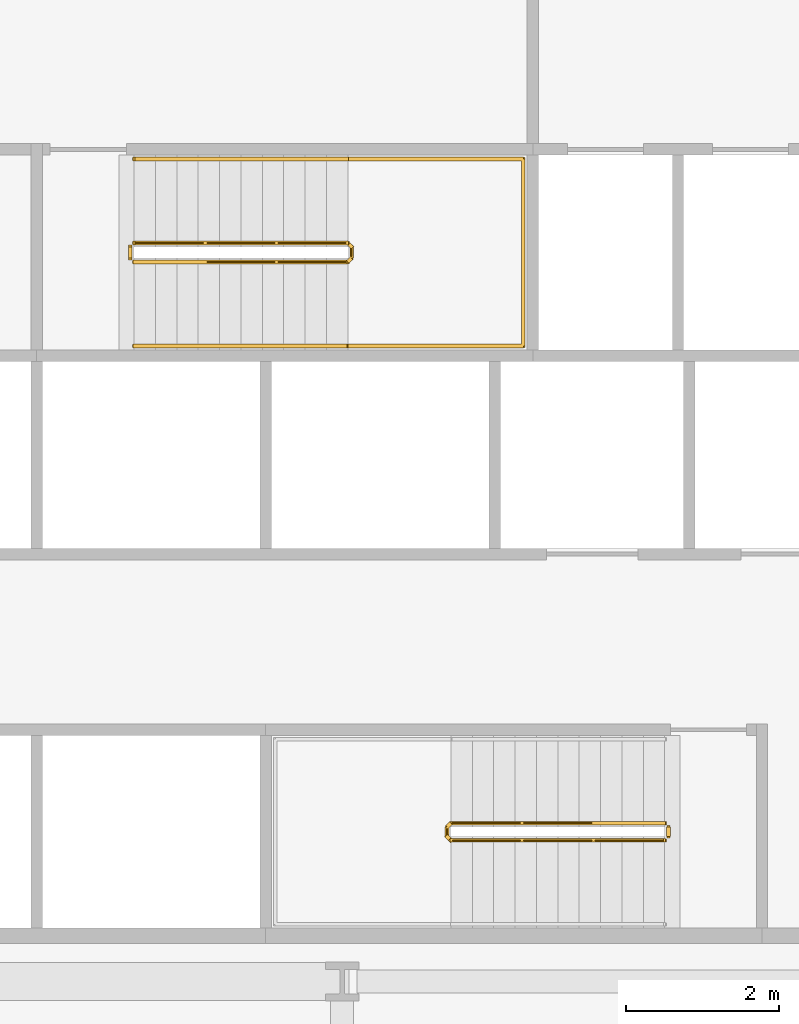
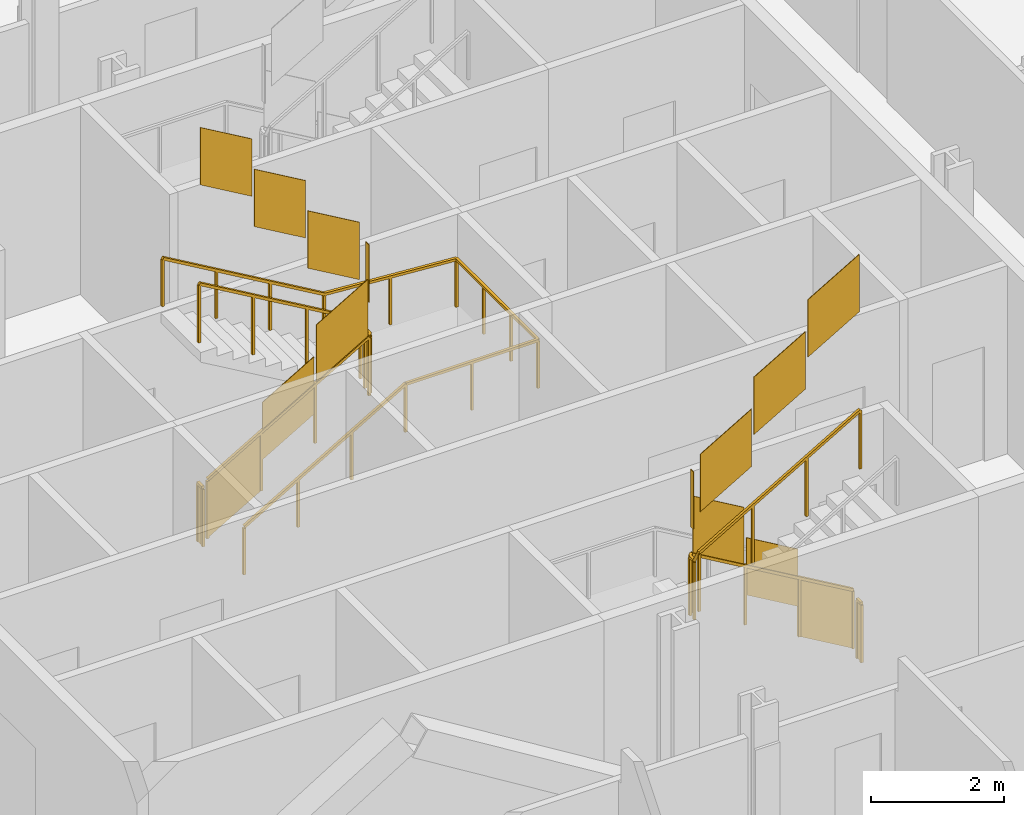
# One storey, part 15 of 18: 5 railings.
"""IFC4 building model written with IfcOpenShell, lengths in metres."""

import ifcopenshell
import ifcopenshell.guid

model = None  # the IFC model being written
_history = None  # IfcOwnerHistory: only IFC2X3 demands one
_inside = {}  # id of a spatial element -> (the spatial element, [elements in it])
_under = {}  # id of a project, library or spatial element -> (it, [spatial elements below it])
_declared = {}  # id of a project -> (the project, [libraries it declares])
_typed = {}  # id of a type object -> (the type object, [elements of that type])
_made_of = {}  # id of a material, layer set ... -> (it, [elements and type objects made of it])


def new_model(schema):
    """Start an empty IFC model of exactly this schema.

    Asked for "IFC4X3", IfcOpenShell would pick the latest addendum, in which some entities
    have other attributes; the version numbers below select the first issue.
    IFC2X3 requires an IfcOwnerHistory on every rooted entity: one is made here for all.
    """
    global model, _history
    if schema == "IFC4X3":
        model = ifcopenshell.file(schema_version=(4, 3, 0, 0))
    else:
        model = ifcopenshell.file(schema=schema)
    _inside.clear()
    _under.clear()
    _declared.clear()
    _typed.clear()
    _made_of.clear()
    _history = None
    if model.schema == "IFC2X3":
        org = make("IfcOrganization", Name="unknown")
        user = make(
            "IfcPersonAndOrganization",
            ThePerson=make("IfcPerson", FamilyName="unknown"),
            TheOrganization=org,
        )
        app = make(
            "IfcApplication",
            ApplicationDeveloper=org,
            Version="unknown",
            ApplicationFullName="unknown",
            ApplicationIdentifier="unknown",
        )
        _history = make(
            "IfcOwnerHistory",
            OwningUser=user,
            OwningApplication=app,
            ChangeAction="ADDED",
            CreationDate=0,
        )
    return model


def make(cls, **values):
    """One entity of the class cls with the attributes given. An attribute that is None is left unset."""
    return model.create_entity(
        cls, **{name: value for name, value in values.items() if value is not None}
    )


def rooted(cls, **values):
    """An entity with a GlobalId (a new one), such as an element, a storey or a relation."""
    return make(cls, GlobalId=ifcopenshell.guid.new(), OwnerHistory=_history, **values)


def si_unit(unit_type, name, prefix=None):
    """IfcSIUnit, for example si_unit("LENGTHUNIT", "METRE", prefix="MILLI")."""
    return make("IfcSIUnit", UnitType=unit_type, Prefix=prefix, Name=name)


def assignment(units):
    """IfcUnitAssignment: the units of a project."""
    return None if units is None else make("IfcUnitAssignment", Units=units)


def point(xyz):
    """IfcCartesianPoint."""
    return None if xyz is None else make("IfcCartesianPoint", Coordinates=xyz)


def direction(xyz):
    """IfcDirection."""
    return None if xyz is None else make("IfcDirection", DirectionRatios=xyz)


def frame(location, z_axis=None, x_axis=None):
    """IfcAxis2Placement3D, a coordinate frame: its origin and axes. An axis left out is left unset."""
    return make(
        "IfcAxis2Placement3D",
        Location=point(location),
        Axis=direction(z_axis),
        RefDirection=direction(x_axis),
    )


def frame_2d(location, x_axis=None):
    """IfcAxis2Placement2D, a coordinate frame in the plane: its origin and x axis."""
    return make(
        "IfcAxis2Placement2D", Location=point(location), RefDirection=direction(x_axis)
    )


def origin():
    """The frame at (0, 0, 0) with its axes left unset."""
    return frame((0.0, 0.0, 0.0))


def origin_2d():
    """The frame at (0, 0) in the plane with its x axis left unset."""
    return frame_2d((0.0, 0.0))


def place(relative_to, where):
    """IfcLocalPlacement: puts the frame where relative to a parent placement (None: the world)."""
    return make(
        "IfcLocalPlacement", PlacementRelTo=relative_to, RelativePlacement=where
    )


def context(
    kind, dimensions, precision=None, world=None, true_north=None, identifier=None
):
    """IfcGeometricRepresentationContext, for example the 3D "Model" context."""
    return make(
        "IfcGeometricRepresentationContext",
        ContextIdentifier=identifier,
        ContextType=kind,
        CoordinateSpaceDimension=dimensions,
        Precision=precision,
        WorldCoordinateSystem=world,
        TrueNorth=true_north,
    )


def subcontext(parent, identifier, kind, view, scale=None):
    """IfcGeometricRepresentationSubContext, for example "Body" below "Model"."""
    return make(
        "IfcGeometricRepresentationSubContext",
        ContextIdentifier=identifier,
        ContextType=kind,
        ParentContext=parent,
        TargetScale=scale,
        TargetView=view,
    )


def project(units=None, contexts=None):
    """IfcProject with its units and contexts."""
    return rooted(
        "IfcProject",
        Name="project",
        RepresentationContexts=contexts,
        UnitsInContext=assignment(units),
    )


def spatial(cls, under=None, at=None, **own):
    """A site, building, storey or space (cls), placed at a placement, below another one or the project."""
    s = rooted(cls, ObjectPlacement=at, **own)
    if under is not None:
        _under.setdefault(under.id(), (under, []))[1].append(s)
    return s


def polyline(points):
    """IfcPolyline through the points."""
    return make("IfcPolyline", Points=[point(p) for p in points])


def profile(cls, at=None, kind="AREA", **sizes):
    """A parametric profile (cls). Its sizes go by their IFC names, for example OverallWidth=200.0."""
    return make(cls, ProfileType=kind, Position=at, **sizes)


def rectangle(**sizes):
    """IfcRectangleProfileDef."""
    return profile("IfcRectangleProfileDef", **sizes)


def outline(outer, holes=None, kind="AREA"):
    """IfcArbitraryClosedProfileDef: a profile drawn as a closed curve; with holes, ...WithVoids."""
    if holes is None:
        return make("IfcArbitraryClosedProfileDef", ProfileType=kind, OuterCurve=outer)
    return make(
        "IfcArbitraryProfileDefWithVoids",
        ProfileType=kind,
        OuterCurve=outer,
        InnerCurves=holes,
    )


def extrude(swept, where, along, depth):
    """IfcExtrudedAreaSolid: the profile swept, set in the frame where, extruded along a direction by depth."""
    return make(
        "IfcExtrudedAreaSolid",
        SweptArea=swept,
        Position=where,
        ExtrudedDirection=direction(along),
        Depth=depth,
    )


def shape(context_of_items, identifier, shape_type, items):
    """IfcShapeRepresentation: the items that make up one representation, for example the "Body"."""
    return make(
        "IfcShapeRepresentation",
        ContextOfItems=context_of_items,
        RepresentationIdentifier=identifier,
        RepresentationType=shape_type,
        Items=items,
    )


def material(Name=None, Category=None):
    """IfcMaterial."""
    return make("IfcMaterial", Name=Name, Category=Category)


def made_of(thing, what):
    """Note that an element or type object is made of a material, layer set ...; save() writes the relation."""
    if what is not None:
        _made_of.setdefault(what.id(), (what, []))[1].append(thing)
    return thing


def type_object(cls, material=None, **own):
    """A type object (cls), such as IfcWallType, which elements share."""
    return made_of(rooted(cls, **own), material)


def element(
    cls,
    number,
    at=None,
    inside=None,
    cuts=None,
    type_object=None,
    material=None,
    context=None,
    identifier="Body",
    shape_type=None,
    held_by="IfcProductDefinitionShape",
    body=None,
    shapes=None,
    **own,
):
    """One element of the class cls, such as IfcWall. Its Tag is "e" and its number.

    at: its placement. inside: the storey or other place that contains it. cuts: it is an
    opening in that element (IfcRelVoidsElement). A single representation is given by context,
    identifier, shape_type and body (its items); several are given by shapes. held_by: the class
    of the entity that holds the representations. save() writes the other relations.
    """
    e = rooted(cls, Tag="e%d" % number, ObjectPlacement=at, **own)
    if body is not None:
        shapes = [shape(context, identifier, shape_type, body)]
    if shapes is not None:
        e.Representation = make(held_by, Representations=shapes)
    if inside is not None:
        _inside.setdefault(inside.id(), (inside, []))[1].append(e)
    if cuts is not None:
        rooted(
            "IfcRelVoidsElement", RelatingBuildingElement=cuts, RelatedOpeningElement=e
        )
    if type_object is not None:
        _typed.setdefault(type_object.id(), (type_object, []))[1].append(e)
    return made_of(e, material)


def aggregate(whole, parts):
    """IfcRelAggregates: a whole, such as a stair, and the parts it consists of."""
    return rooted("IfcRelAggregates", RelatingObject=whole, RelatedObjects=parts)


def save(model, path):
    """Write the relations noted so far, then the file.

    IfcRelAggregates (storeys below a building ...), IfcRelContainedInSpatialStructure (elements
    in a storey), IfcRelDefinesByType, IfcRelAssociatesMaterial and IfcRelDeclares: one each for
    every whole, place, type object, material and project.
    """
    for whole, parts in _under.values():
        aggregate(whole, parts)
    for where, things in _inside.values():
        rooted(
            "IfcRelContainedInSpatialStructure",
            RelatedElements=things,
            RelatingStructure=where,
        )
    for kind, things in _typed.values():
        rooted("IfcRelDefinesByType", RelatedObjects=things, RelatingType=kind)
    for what, things in _made_of.values():
        rooted("IfcRelAssociatesMaterial", RelatedObjects=things, RelatingMaterial=what)
    for by, libraries in _declared.values():
        rooted("IfcRelDeclares", RelatingContext=by, RelatedDefinitions=libraries)
    model.write(path)


model = new_model("IFC4")

# Units and contexts
model_context = context("Model", 3, precision=1e-05, world=origin(), true_north=direction((0.0, 1.0)))
body_context = subcontext(model_context, "Body", "Model", "MODEL_VIEW")
ifc_project = project(units=[si_unit("LENGTHUNIT", "METRE"), si_unit("AREAUNIT", "SQUARE_METRE"), si_unit("VOLUMEUNIT", "CUBIC_METRE"), si_unit("PLANEANGLEUNIT", "RADIAN"), si_unit("MASSUNIT", "GRAM", prefix="KILO")], contexts=[model_context])

# Site, building, storey
site_placement = place(None, origin())
site = spatial("IfcSite", under=ifc_project, at=site_placement, CompositionType="ELEMENT")
building_placement = place(site_placement, origin())
building = spatial("IfcBuilding", under=site, at=building_placement, Name="Cairn Pilgrim Tower", CompositionType="ELEMENT")
storey_placement = place(building_placement, frame((0.0, 0.0, 72.60009765625)))
storey = spatial("IfcBuildingStorey", under=building, at=storey_placement, Name="L16", CompositionType="ELEMENT", Elevation=72.60009765625)

# Railings
ifc_material = material(Name="Painted steel", Category="steel")
railing_type_1 = type_object("IfcRailingType", Name="STAIR GUARD 1100", PredefinedType="GUARDRAIL", material=ifc_material)
railing_1_placement = place(storey_placement, frame((11.425048828125, -3.925048828125, 0.16357421875)))
element("IfcRailing", 1, at=railing_1_placement, inside=storey, type_object=railing_type_1, Name="L16 ST-A stair guard 1", PredefinedType="GUARDRAIL", context=body_context, shape_type="SweptSolid", body=[
    extrude(rectangle(XDim=0.048095703125, YDim=0.048095703125, at=origin_2d()), frame((0.0, 0.0, 1.076171875), z_axis=(-0.863393664356, 0.0, 0.504530851732), x_axis=(0.0, -1.0, 0.0)), (0.0, 0.0, 1.0), 3.2431640625),
    extrude(rectangle(XDim=0.048095703125, YDim=0.048095703125, at=origin_2d()), frame((-2.800048828125, 0.0, 2.71240234375), z_axis=(-0.707106781187, -0.707106781187, 0.0), x_axis=(0.707106781187, -0.707106781187, 0.0)), (0.0, 0.0, 1.0), 0.07080078125),
    extrude(rectangle(XDim=0.048095703125, YDim=0.048095703125, at=origin_2d()), frame((-2.85009765625, -0.050048828125, 2.71240234375), z_axis=(0.0, -1.0, 0.0), x_axis=(1.0, 0.0, 0.0)), (0.0, 0.0, 1.0), 0.125),
    extrude(rectangle(XDim=0.048095703125, YDim=0.048095703125, at=origin_2d()), frame((-2.85009765625, -0.175048828125, 2.71240234375), z_axis=(0.280563532951, -0.279194930351, 0.91833234444), x_axis=(0.705375805398, 0.708833529934, 0.0)), (0.0, 0.0, 1.0), 0.178466796875),
    extrude(rectangle(XDim=0.048095703125, YDim=0.048095703125, at=origin_2d()), frame((-2.800048828125, -0.224853515625, 2.8759765625), z_axis=(0.863393664356, 0.0, 0.504530851732), x_axis=(0.0, 1.0, 0.0)), (0.0, 0.0, 1.0), 3.2431640625),
    extrude(rectangle(XDim=0.0419921875, YDim=0.0419921875, at=origin_2d()), origin(), (0.0, 0.0, 1.0), 1.052001953125),
    extrude(rectangle(XDim=0.0419921875, YDim=0.0419921875, at=origin_2d()), frame((-0.933349609375, 0.0, 0.54541015625)), (0.0, 0.0, 1.0), 1.052001953125),
    extrude(rectangle(XDim=0.0419921875, YDim=0.0419921875, at=origin_2d()), frame((-1.86669921875, 0.0, 1.0908203125)), (0.0, 0.0, 1.0), 1.052001953125),
    extrude(rectangle(XDim=0.0419921875, YDim=0.0419921875, at=origin_2d()), frame((-2.800048828125, 0.0, 1.63623046875)), (0.0, 0.0, 1.0), 1.052001953125),
    extrude(rectangle(XDim=0.0419921875, YDim=0.0419921875, at=origin_2d()), frame((-2.85009765625, -0.050048828125, 1.63623046875)), (0.0, 0.0, 1.0), 1.052001953125),
    extrude(rectangle(XDim=0.0419921875, YDim=0.0419921875, at=origin_2d()), frame((-2.85009765625, -0.175048828125, 1.63623046875)), (0.0, 0.0, 1.0), 1.052001953125),
    extrude(rectangle(XDim=0.0419921875, YDim=0.0419921875, at=origin_2d()), frame((-2.800048828125, -0.224853515625, 1.800048828125)), (0.0, 0.0, 1.0), 1.052001953125),
    extrude(rectangle(XDim=0.0419921875, YDim=0.0419921875, at=origin_2d()), frame((-1.86669921875, -0.224853515625, 2.345458984375)), (0.0, 0.0, 1.0), 1.052001953125),
    extrude(rectangle(XDim=0.0419921875, YDim=0.0419921875, at=origin_2d()), frame((-0.933349609375, -0.224853515625, 2.890869140625)), (0.0, 0.0, 1.0), 1.052001953125),
    extrude(rectangle(XDim=0.0419921875, YDim=0.0419921875, at=origin_2d()), frame((0.0, -0.224853515625, 3.436279296875)), (0.0, 0.0, 1.0), 1.052001953125),
    extrude(outline(polyline([(0.02099609375, 0.01220703125), (0.912353515625, 0.533203125), (0.912353515625, 1.585205078125), (0.02099609375, 1.064208984375), (0.02099609375, 0.01220703125)])), frame((0.0, -0.005859375, 0.0), z_axis=(0.0, 1.0, 0.0), x_axis=(-1.0, 0.0, 0.0)), (0.0, 0.0, 1.0), 0.011962890625),
    extrude(outline(polyline([(0.02099609375, 0.5576171875), (0.912353515625, 1.07861328125), (0.912353515625, 2.130615234375), (0.02099609375, 1.609619140625), (0.02099609375, 0.5576171875)])), frame((-0.933349609375, -0.005859375, 0.54541015625), z_axis=(0.0, 1.0, 0.0), x_axis=(-1.0, 0.0, 0.0)), (0.0, 0.0, 1.0), 0.011962890625),
    extrude(outline(polyline([(0.02099609375, 1.10302734375), (0.912353515625, 1.6240234375), (0.912353515625, 2.676025390625), (0.02099609375, 2.155029296875), (0.02099609375, 1.10302734375)])), frame((-1.86669921875, -0.005859375, 1.0908203125), z_axis=(0.0, 1.0, 0.0), x_axis=(-1.0, 0.0, 0.0)), (0.0, 0.0, 1.0), 0.011962890625),
    extrude(outline(polyline([(0.02099609375, 1.63623046875), (0.10400390625, 1.63623046875), (0.10400390625, 2.688232421875), (0.02099609375, 2.688232421875), (0.02099609375, 1.63623046875)])), frame((-2.84423828125, -0.050048828125, 1.63623046875), z_axis=(-1.0, 0.0, 0.0), x_axis=(0.0, -1.0, 0.0)), (0.0, 0.0, 1.0), 0.011962890625),
    extrude(outline(polyline([(0.02099609375, 1.812255859375), (0.912353515625, 2.333251953125), (0.912353515625, 3.38525390625), (0.02099609375, 2.8642578125), (0.02099609375, 1.812255859375)])), frame((-2.800048828125, -0.21875, 1.800048828125), z_axis=(0.0, -1.0, 0.0), x_axis=(1.0, 0.0, 0.0)), (0.0, 0.0, 1.0), 0.011962890625),
    extrude(outline(polyline([(0.02099609375, 2.357666015625), (0.912353515625, 2.878662109375), (0.912353515625, 3.9306640625), (0.02099609375, 3.40966796875), (0.02099609375, 2.357666015625)])), frame((-1.86669921875, -0.21875, 2.345458984375), z_axis=(0.0, -1.0, 0.0), x_axis=(1.0, 0.0, 0.0)), (0.0, 0.0, 1.0), 0.011962890625),
    extrude(outline(polyline([(0.02099609375, 2.903076171875), (0.912353515625, 3.424072265625), (0.912353515625, 4.47607421875), (0.02099609375, 3.955078125), (0.02099609375, 2.903076171875)])), frame((-0.933349609375, -0.21875, 2.890869140625), z_axis=(0.0, -1.0, 0.0), x_axis=(1.0, 0.0, 0.0)), (0.0, 0.0, 1.0), 0.011962890625),
])
railing_2_placement = place(storey_placement, frame((11.47509765625, -3.97509765625, 0.0)))
element("IfcRailing", 2, at=railing_2_placement, inside=storey, type_object=railing_type_1, Name="L16 ST-A stair guard 2", PredefinedType="GUARDRAIL", context=body_context, shape_type="SweptSolid", body=[
    extrude(rectangle(XDim=0.048095703125, YDim=0.048095703125, at=origin_2d()), frame((0.0, 0.0, 1.076171875), z_axis=(0.0, -1.0, 0.0), x_axis=(1.0, 0.0, 0.0)), (0.0, 0.0, 1.0), 0.125),
    extrude(rectangle(XDim=0.0419921875, YDim=0.0419921875, at=origin_2d()), origin(), (0.0, 0.0, 1.0), 1.052001953125),
    extrude(rectangle(XDim=0.0419921875, YDim=0.0419921875, at=origin_2d()), frame((0.0, -0.125, 0.0)), (0.0, 0.0, 1.0), 1.052001953125),
    extrude(outline(polyline([(0.02099609375, 0.0), (0.10400390625, 0.0), (0.10400390625, 1.052001953125), (0.02099609375, 1.052001953125), (0.02099609375, 0.0)])), frame((0.005859375, 0.0, 0.0), z_axis=(-1.0, 0.0, 0.0), x_axis=(0.0, -1.0, 0.0)), (0.0, 0.0, 1.0), 0.011962890625),
])
railing_3_placement = place(storey_placement, frame((4.47509765625, 3.425048828125, 0.16357421875)))
element("IfcRailing", 3, at=railing_3_placement, inside=storey, type_object=railing_type_1, Name="L16 ST-B stair guard 1", PredefinedType="GUARDRAIL", context=body_context, shape_type="SweptSolid", body=[
    extrude(rectangle(XDim=0.048095703125, YDim=0.048095703125, at=origin_2d()), frame((0.0, 0.0, 1.076171875), z_axis=(0.863374499697, 0.0, 0.504563646405), x_axis=(0.0, 1.0, 0.0)), (0.0, 0.0, 1.0), 3.242919921875),
    extrude(rectangle(XDim=0.048095703125, YDim=0.048095703125, at=origin_2d()), frame((2.7998046875, 0.0, 2.71240234375), z_axis=(0.707106781187, 0.707106781187, 0.0), x_axis=(-0.707106781187, 0.707106781187, 0.0)), (0.0, 0.0, 1.0), 0.07080078125),
    extrude(rectangle(XDim=0.048095703125, YDim=0.048095703125, at=origin_2d()), frame((2.849853515625, 0.050048828125, 2.71240234375), z_axis=(0.0, 1.0, 0.0), x_axis=(-1.0, 0.0, 0.0)), (0.0, 0.0, 1.0), 0.14990234375),
    extrude(rectangle(XDim=0.048095703125, YDim=0.048095703125, at=origin_2d()), frame((2.849853515625, 0.199951171875, 2.71240234375), z_axis=(-0.280456126637, 0.280456126637, 0.917980785237), x_axis=(-0.707106781187, -0.707106781187, 0.0)), (0.0, 0.0, 1.0), 0.178466796875),
    extrude(rectangle(XDim=0.048095703125, YDim=0.048095703125, at=origin_2d()), frame((2.7998046875, 0.25, 2.8759765625), z_axis=(-0.863374499697, 0.0, 0.504563646405), x_axis=(0.0, -1.0, 0.0)), (0.0, 0.0, 1.0), 3.242919921875),
    extrude(rectangle(XDim=0.0419921875, YDim=0.0419921875, at=origin_2d()), origin(), (0.0, 0.0, 1.0), 1.052001953125),
    extrude(rectangle(XDim=0.0419921875, YDim=0.0419921875, at=origin_2d()), frame((0.933349609375, 0.0, 0.54541015625)), (0.0, 0.0, 1.0), 1.052001953125),
    extrude(rectangle(XDim=0.0419921875, YDim=0.0419921875, at=origin_2d()), frame((1.866455078125, 0.0, 1.0908203125)), (0.0, 0.0, 1.0), 1.052001953125),
    extrude(rectangle(XDim=0.0419921875, YDim=0.0419921875, at=origin_2d()), frame((2.7998046875, 0.0, 1.63623046875)), (0.0, 0.0, 1.0), 1.052001953125),
    extrude(rectangle(XDim=0.0419921875, YDim=0.0419921875, at=origin_2d()), frame((2.849853515625, 0.050048828125, 1.63623046875)), (0.0, 0.0, 1.0), 1.052001953125),
    extrude(rectangle(XDim=0.0419921875, YDim=0.0419921875, at=origin_2d()), frame((2.849853515625, 0.199951171875, 1.63623046875)), (0.0, 0.0, 1.0), 1.052001953125),
    extrude(rectangle(XDim=0.0419921875, YDim=0.0419921875, at=origin_2d()), frame((2.7998046875, 0.25, 1.800048828125)), (0.0, 0.0, 1.0), 1.052001953125),
    extrude(rectangle(XDim=0.0419921875, YDim=0.0419921875, at=origin_2d()), frame((1.866455078125, 0.25, 2.345458984375)), (0.0, 0.0, 1.0), 1.052001953125),
    extrude(rectangle(XDim=0.0419921875, YDim=0.0419921875, at=origin_2d()), frame((0.933349609375, 0.25, 2.890869140625)), (0.0, 0.0, 1.0), 1.052001953125),
    extrude(rectangle(XDim=0.0419921875, YDim=0.0419921875, at=origin_2d()), frame((0.0, 0.25, 3.436279296875)), (0.0, 0.0, 1.0), 1.052001953125),
    extrude(outline(polyline([(0.02099609375, 0.01220703125), (0.912353515625, 0.533203125), (0.912353515625, 1.585205078125), (0.02099609375, 1.064208984375), (0.02099609375, 0.01220703125)])), frame((0.0, 0.005859375, 0.0), z_axis=(0.0, -1.0, 0.0), x_axis=(1.0, 0.0, 0.0)), (0.0, 0.0, 1.0), 0.011962890625),
    extrude(outline(polyline([(0.02099609375, 0.5576171875), (0.912353515625, 1.07861328125), (0.912353515625, 2.130615234375), (0.02099609375, 1.609619140625), (0.02099609375, 0.5576171875)])), frame((0.933349609375, 0.005859375, 0.54541015625), z_axis=(0.0, -1.0, 0.0), x_axis=(1.0, 0.0, 0.0)), (0.0, 0.0, 1.0), 0.011962890625),
    extrude(outline(polyline([(0.02099609375, 1.10302734375), (0.912353515625, 1.6240234375), (0.912353515625, 2.676025390625), (0.02099609375, 2.155029296875), (0.02099609375, 1.10302734375)])), frame((1.866455078125, 0.005859375, 1.0908203125), z_axis=(0.0, -1.0, 0.0), x_axis=(1.0, 0.0, 0.0)), (0.0, 0.0, 1.0), 0.011962890625),
    extrude(outline(polyline([(0.02099609375, 1.63623046875), (0.12890625, 1.63623046875), (0.12890625, 2.688232421875), (0.02099609375, 2.688232421875), (0.02099609375, 1.63623046875)])), frame((2.84375, 0.050048828125, 1.63623046875), z_axis=(1.0, 0.0, 0.0), x_axis=(0.0, 1.0, 0.0)), (0.0, 0.0, 1.0), 0.011962890625),
    extrude(outline(polyline([(0.02099609375, 1.812255859375), (0.912353515625, 2.333251953125), (0.912353515625, 3.38525390625), (0.02099609375, 2.8642578125), (0.02099609375, 1.812255859375)])), frame((2.7998046875, 0.244140625, 1.800048828125), z_axis=(0.0, 1.0, 0.0), x_axis=(-1.0, 0.0, 0.0)), (0.0, 0.0, 1.0), 0.011962890625),
    extrude(outline(polyline([(0.02099609375, 2.357666015625), (0.912353515625, 2.878662109375), (0.912353515625, 3.9306640625), (0.02099609375, 3.40966796875), (0.02099609375, 2.357666015625)])), frame((1.866455078125, 0.244140625, 2.345458984375), z_axis=(0.0, 1.0, 0.0), x_axis=(-1.0, 0.0, 0.0)), (0.0, 0.0, 1.0), 0.011962890625),
    extrude(outline(polyline([(0.02099609375, 2.903076171875), (0.912353515625, 3.424072265625), (0.912353515625, 4.47607421875), (0.02099609375, 3.955078125), (0.02099609375, 2.903076171875)])), frame((0.933349609375, 0.244140625, 2.890869140625), z_axis=(0.0, 1.0, 0.0), x_axis=(-1.0, 0.0, 0.0)), (0.0, 0.0, 1.0), 0.011962890625),
])
railing_4_placement = place(storey_placement, frame((4.425048828125, 3.47509765625, 0.0)))
element("IfcRailing", 4, at=railing_4_placement, inside=storey, type_object=railing_type_1, Name="L16 ST-B stair guard 2", PredefinedType="GUARDRAIL", context=body_context, shape_type="SweptSolid", body=[
    extrude(rectangle(XDim=0.048095703125, YDim=0.048095703125, at=origin_2d()), frame((0.0, 0.0, 1.076171875), z_axis=(0.0, 1.0, 0.0), x_axis=(-1.0, 0.0, 0.0)), (0.0, 0.0, 1.0), 0.14990234375),
    extrude(rectangle(XDim=0.0419921875, YDim=0.0419921875, at=origin_2d()), origin(), (0.0, 0.0, 1.0), 1.052001953125),
    extrude(rectangle(XDim=0.0419921875, YDim=0.0419921875, at=origin_2d()), frame((0.0, 0.14990234375, 0.0)), (0.0, 0.0, 1.0), 1.052001953125),
    extrude(outline(polyline([(0.02099609375, 0.0), (0.12890625, 0.0), (0.12890625, 1.052001953125), (0.02099609375, 1.052001953125), (0.02099609375, 0.0)])), frame((-0.005859375, 0.0, 0.0), z_axis=(1.0, 0.0, 0.0), x_axis=(0.0, 1.0, 0.0)), (0.0, 0.0, 1.0), 0.011962890625),
])
railing_type_2 = type_object("IfcRailingType", Name="STAIR HANDRAIL 900", PredefinedType="HANDRAIL", material=ifc_material)
railing_5_placement = place(storey_placement, frame((4.47509765625, 2.324951171875, 0.16357421875)))
element("IfcRailing", 5, at=railing_5_placement, inside=storey, type_object=railing_type_2, Name="L16 ST-B stair handrail 1", PredefinedType="HANDRAIL", context=body_context, shape_type="SweptSolid", body=[
    extrude(rectangle(XDim=0.048095703125, YDim=0.048095703125, at=origin_2d()), frame((0.0, 0.0, 0.8759765625), z_axis=(0.863374499697, 0.0, 0.504563646405), x_axis=(0.0, 1.0, 0.0)), (0.0, 0.0, 1.0), 3.242919921875),
    extrude(rectangle(XDim=0.048095703125, YDim=0.048095703125, at=origin_2d()), frame((2.7998046875, 0.0, 2.51220703125), z_axis=(1.0, 0.0, 0.0), x_axis=(0.0, 1.0, 0.0)), (0.0, 0.0, 1.0), 2.300048828125),
    extrude(rectangle(XDim=0.048095703125, YDim=0.048095703125, at=origin_2d()), frame((5.099853515625, 0.0, 2.51220703125), z_axis=(0.0, 1.0, 0.0), x_axis=(-1.0, 0.0, 0.0)), (0.0, 0.0, 1.0), 2.449951171875),
    extrude(rectangle(XDim=0.048095703125, YDim=0.048095703125, at=origin_2d()), frame((5.099853515625, 2.449951171875, 2.51220703125), z_axis=(-0.99747319029, 0.0, 0.071043892441), x_axis=(0.0, -1.0, 0.0)), (0.0, 0.0, 1.0), 2.305908203125),
    extrude(rectangle(XDim=0.048095703125, YDim=0.048095703125, at=origin_2d()), frame((2.7998046875, 2.449951171875, 2.67578125), z_axis=(-0.863374499697, 0.0, 0.504563646405), x_axis=(0.0, -1.0, 0.0)), (0.0, 0.0, 1.0), 3.242919921875),
    extrude(rectangle(XDim=0.0419921875, YDim=0.0419921875, at=origin_2d()), origin(), (0.0, 0.0, 1.0), 0.851806640625),
    extrude(rectangle(XDim=0.0419921875, YDim=0.0419921875, at=origin_2d()), frame((0.933349609375, 0.0, 0.54541015625)), (0.0, 0.0, 1.0), 0.851806640625),
    extrude(rectangle(XDim=0.0419921875, YDim=0.0419921875, at=origin_2d()), frame((1.866455078125, 0.0, 1.0908203125)), (0.0, 0.0, 1.0), 0.851806640625),
    extrude(rectangle(XDim=0.0419921875, YDim=0.0419921875, at=origin_2d()), frame((2.7998046875, 0.0, 1.63623046875)), (0.0, 0.0, 1.0), 0.851806640625),
    extrude(rectangle(XDim=0.0419921875, YDim=0.0419921875, at=origin_2d()), frame((3.94970703125, 0.0, 1.63623046875)), (0.0, 0.0, 1.0), 0.851806640625),
    extrude(rectangle(XDim=0.0419921875, YDim=0.0419921875, at=origin_2d()), frame((5.099853515625, 0.0, 1.63623046875)), (0.0, 0.0, 1.0), 0.851806640625),
    extrude(rectangle(XDim=0.0419921875, YDim=0.0419921875, at=origin_2d()), frame((5.099853515625, 0.816650390625, 1.63623046875)), (0.0, 0.0, 1.0), 0.851806640625),
    extrude(rectangle(XDim=0.0419921875, YDim=0.0419921875, at=origin_2d()), frame((5.099853515625, 1.63330078125, 1.63623046875)), (0.0, 0.0, 1.0), 0.851806640625),
    extrude(rectangle(XDim=0.0419921875, YDim=0.0419921875, at=origin_2d()), frame((5.099853515625, 2.449951171875, 1.63623046875)), (0.0, 0.0, 1.0), 0.851806640625),
    extrude(rectangle(XDim=0.0419921875, YDim=0.0419921875, at=origin_2d()), frame((3.94970703125, 2.449951171875, 1.71826171875)), (0.0, 0.0, 1.0), 0.851806640625),
    extrude(rectangle(XDim=0.0419921875, YDim=0.0419921875, at=origin_2d()), frame((2.7998046875, 2.449951171875, 1.800048828125)), (0.0, 0.0, 1.0), 0.851806640625),
    extrude(rectangle(XDim=0.0419921875, YDim=0.0419921875, at=origin_2d()), frame((1.866455078125, 2.449951171875, 2.345458984375)), (0.0, 0.0, 1.0), 0.851806640625),
    extrude(rectangle(XDim=0.0419921875, YDim=0.0419921875, at=origin_2d()), frame((0.933349609375, 2.449951171875, 2.890869140625)), (0.0, 0.0, 1.0), 0.851806640625),
    extrude(rectangle(XDim=0.0419921875, YDim=0.0419921875, at=origin_2d()), frame((0.0, 2.449951171875, 3.436279296875)), (0.0, 0.0, 1.0), 0.851806640625),
])

save(model, "model.ifc")
